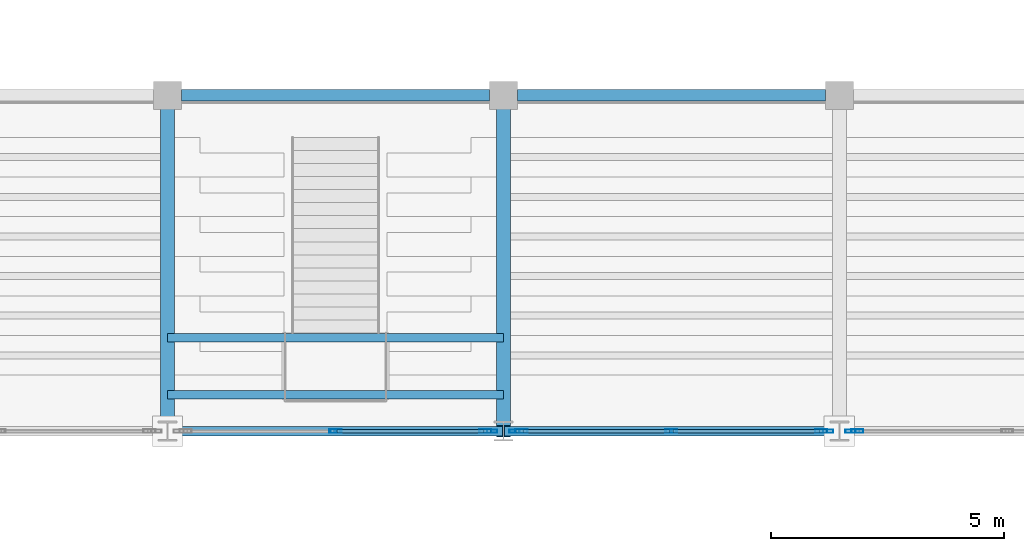
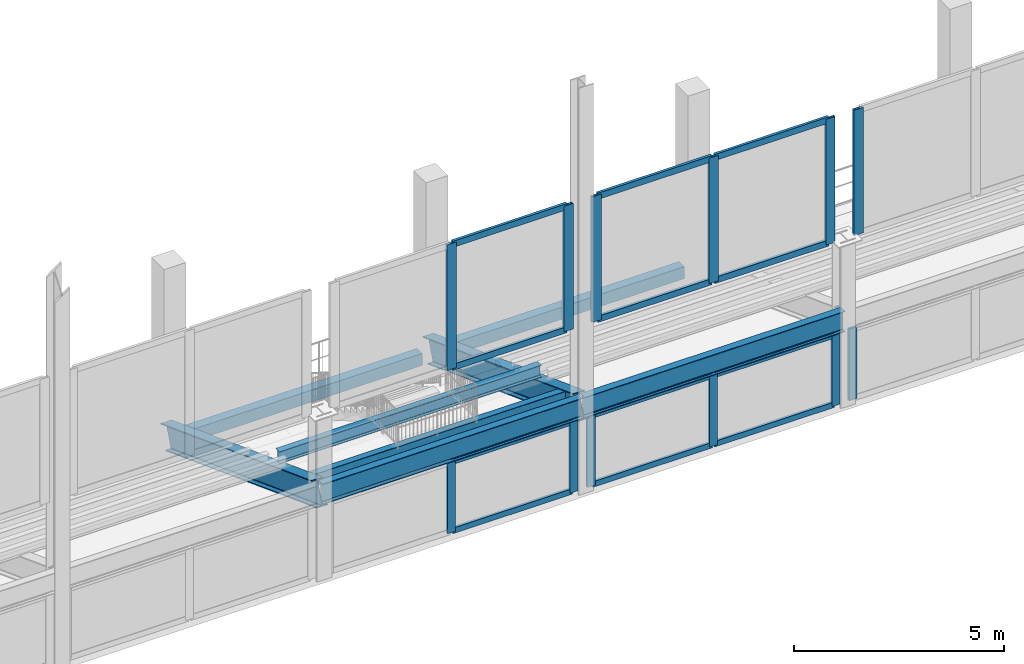
# One storey, part 23 of 120: 24 members, 8 beams, 6 elements without a shape of their own.
"""IFC4 building model written with IfcOpenShell, lengths in metres."""

from ifc_helpers import new_model, si_unit, direction, frame, origin, origin_2d, place, context, subcontext, project, spatial, hollow_rectangle, i_section, extrude, material, material_profile, profile_set, type_object, element, aggregate, save


model = new_model("IFC4")

# Units and contexts
model_context = context("Model", 3, precision=1e-05, world=origin(), true_north=direction((0.0, 1.0)))
body_context = subcontext(model_context, "Body", "Model", "MODEL_VIEW")
ifc_project = project(units=[si_unit("LENGTHUNIT", "METRE"), si_unit("AREAUNIT", "SQUARE_METRE"), si_unit("VOLUMEUNIT", "CUBIC_METRE"), si_unit("PLANEANGLEUNIT", "RADIAN"), si_unit("MASSUNIT", "GRAM", prefix="KILO")], contexts=[model_context])

# Site, building, storey
site_placement = place(None, origin())
site = spatial("IfcSite", under=ifc_project, at=site_placement, CompositionType="ELEMENT")
building_placement = place(site_placement, origin())
building = spatial("IfcBuilding", under=site, at=building_placement, Name="Vesperath Aquatics Centre", CompositionType="ELEMENT")
storey_placement = place(building_placement, frame((0.0, 0.0, 10.199951171875)))
storey = spatial("IfcBuildingStorey", under=building, at=storey_placement, Name="L02", CompositionType="ELEMENT", Elevation=10.199951171875)

# Beams
ifc_material_1 = material(Name="Steel Q355C", Category="steel")
ifc_material_profile_1 = material_profile(ifc_material_1, i_section(OverallWidth=0.175048828125, OverallDepth=0.35009765625, WebThickness=0.007080078125, FlangeThickness=0.010986328125, FilletRadius=0.012939453125, at=origin_2d()), Name="HN 350x175x7x11")
ifc_profile_set_1 = profile_set([ifc_material_profile_1], Name="Steel Q355C")
beam_type_1 = type_object("IfcBeamType", Name="BM-J05", PredefinedType="JOIST", material=ifc_profile_set_1)
for number, where, z_axis, x_axis, name in (
    (1, (43.199951171875, 15.179931640625, 2.25), (1.0, 0.0, 0.0), (0.0, 1.0, 0.0), "Upper Vomitory Landing Beam J05 VOM07-A"),
    (2, (43.199951171875, 16.403076171875, 2.25), (1.0, 0.0, 0.0), (0.0, 1.0, 0.0), "Upper Vomitory Landing Beam J05 VOM07-B"),
):
    element("IfcBeam", number, at=place(storey_placement, frame(where, z_axis=z_axis, x_axis=x_axis)), inside=storey, type_object=beam_type_1, Name=name, PredefinedType="JOIST", context=body_context, shape_type="SweptSolid", body=[
        extrude(i_section(OverallWidth=0.175048828125, OverallDepth=0.35009765625, WebThickness=0.007080078125, FlangeThickness=0.010986328125, FilletRadius=0.012939453125, at=origin_2d()), origin(), (0.0, 0.0, 1.0), 7.199951171875),
    ])
ifc_material_2 = material(Name="Steel Q355D", Category="steel")
ifc_material_profile_2 = material_profile(ifc_material_2, i_section(OverallWidth=0.300048828125, OverallDepth=0.699951171875, WebThickness=0.012939453125, FlangeThickness=0.02392578125, FilletRadius=0.028076171875, at=origin_2d()), Name="HN 700x300x13x24")
ifc_profile_set_2 = profile_set([ifc_material_profile_2], Name="Steel Q355D")
beam_type_2 = type_object("IfcBeamType", Name="BM-RK02", PredefinedType="USERDEFINED", material=ifc_profile_set_2)
for number, where, z_axis, x_axis, name in (
    (3, (43.199951171875, 21.60009765625, -0.300048828125), (0.0, -0.93632395855, 0.351137358659), (1.0, 0.0, 0.0), "Upper Stand RAKER Beam RK02 South 7"),
    (4, (50.39990234375, 21.60009765625, -0.300048828125), (0.0, -0.93632395855, 0.351137358659), (1.0, 0.0, 0.0), "Upper Stand RAKER Beam RK02 South 8"),
):
    element("IfcBeam", number, at=place(storey_placement, frame(where, z_axis=z_axis, x_axis=x_axis)), inside=storey, type_object=beam_type_2, Name=name, ObjectType="RAKER", PredefinedType="USERDEFINED", context=body_context, shape_type="SweptSolid", body=[
        extrude(i_section(OverallWidth=0.300048828125, OverallDepth=0.699951171875, WebThickness=0.012939453125, FlangeThickness=0.02392578125, FilletRadius=0.028076171875, at=origin_2d()), origin(), (0.0, 0.0, 1.0), 7.68994140625),
    ])
ifc_material_profile_3 = material_profile(ifc_material_2, i_section(OverallWidth=0.199951171875, OverallDepth=0.60009765625, WebThickness=0.010986328125, FlangeThickness=0.01708984375, FilletRadius=0.02197265625, at=origin_2d()), Name="HN 600x200x11x17")
ifc_profile_set_3 = profile_set([ifc_material_profile_3], Name="Steel Q355D")
beam_type_3 = type_object("IfcBeamType", Name="BM-RKH1", PredefinedType="BEAM", material=ifc_profile_set_3)
beam_1_placement = place(storey_placement, frame((43.219970703125, 14.39990234375, 2.400146484375), z_axis=(1.0, 0.0, 0.0), x_axis=(0.0, 1.0, 0.0)))
element("IfcBeam", 5, at=beam_1_placement, inside=storey, type_object=beam_type_3, Name="Upper Bowl Rim Girder RKH1 South 7-8", PredefinedType="BEAM", context=body_context, shape_type="SweptSolid", body=[
    extrude(i_section(OverallWidth=0.199951171875, OverallDepth=0.60009765625, WebThickness=0.010986328125, FlangeThickness=0.01708984375, FilletRadius=0.02197265625, at=origin_2d()), origin(), (0.0, 0.0, 1.0), 7.159912109375),
])
beam_2_placement = place(storey_placement, frame((50.419921875, 14.39990234375, 2.400146484375), z_axis=(1.0, 0.0, 0.0), x_axis=(0.0, 1.0, 0.0)))
element("IfcBeam", 6, at=beam_2_placement, inside=storey, type_object=beam_type_3, Name="Upper Bowl Rim Girder RKH1 South 8-9", PredefinedType="BEAM", context=body_context, shape_type="SweptSolid", body=[
    extrude(i_section(OverallWidth=0.199951171875, OverallDepth=0.60009765625, WebThickness=0.010986328125, FlangeThickness=0.01708984375, FilletRadius=0.02197265625, at=origin_2d()), origin(), (0.0, 0.0, 1.0), 7.16015625),
])
ifc_material_profile_4 = material_profile(ifc_material_2, hollow_rectangle(XDim=0.25, YDim=0.35009765625, WallThickness=0.011962890625, at=origin_2d()), Name="RHS 350x250x12")
ifc_profile_set_4 = profile_set([ifc_material_profile_4], Name="Steel Q355D")
beam_type_4 = type_object("IfcBeamType", Name="BM-SP02", PredefinedType="SPANDREL", material=ifc_profile_set_4)
for number, where, z_axis, x_axis, name in (
    (7, (43.5, 21.60009765625, -0.43505859375), (1.0, 0.0, 0.0), (0.0, 1.0, 0.0), "Floor Girder SP02 L02 D 7-8"),
    (8, (50.699951171875, 21.60009765625, -0.43505859375), (1.0, 0.0, 0.0), (0.0, 1.0, 0.0), "Floor Girder SP02 L02 D 8-9"),
):
    element("IfcBeam", number, at=place(storey_placement, frame(where, z_axis=z_axis, x_axis=x_axis)), inside=storey, type_object=beam_type_4, Name=name, PredefinedType="SPANDREL", context=body_context, shape_type="SweptSolid", body=[
        extrude(hollow_rectangle(XDim=0.25, YDim=0.35009765625, WallThickness=0.011962890625, at=origin_2d()), origin(), (0.0, 0.0, 1.0), 6.60009765625),
    ])

# Curtain wall, members
ifc_material_3 = material(Name="Thermally broken anodised bronze aluminium curtain wall", Category="aluminium")
curtain_wall_type_1 = type_object("IfcCurtainWallType", Name="CW-08", PredefinedType="NOTDEFINED", material=ifc_material_3)
curtain_wall_1_placement = place(storey_placement, origin())
curtain_wall_1 = element("IfcCurtainWall", 9, at=curtain_wall_1_placement, inside=storey, type_object=curtain_wall_type_1, Name="Natatorium Gable West Curtain Wall CW08 S-4W", PredefinedType="NOTDEFINED")
ifc_material_4 = material(Name="Thermally broken anodised aluminium", Category="aluminium")
ifc_material_profile_5 = material_profile(ifc_material_4, hollow_rectangle(XDim=0.074951171875, YDim=0.260009765625, WallThickness=0.006103515625, at=origin_2d()), Name="CWM 75x260x6")
ifc_profile_set_5 = profile_set([ifc_material_profile_5], Name="Thermally broken anodised aluminium")
member_type_1 = type_object("IfcMemberType", Name="MB-CWM1", PredefinedType="MULLION", material=ifc_profile_set_5)
member_1_placement = place(storey_placement, frame((46.800048828125, 14.39990234375, 4.75), z_axis=(0.0, 0.0, 1.0), x_axis=(0.0, 1.0, 0.0)))
member_1 = element("IfcMember", 10, at=member_1_placement, type_object=member_type_1, Name="CW08 mullion 2", PredefinedType="MULLION", context=body_context, shape_type="SweptSolid", body=[
    extrude(hollow_rectangle(XDim=0.074951171875, YDim=0.260009765625, WallThickness=0.006103515625, at=origin_2d()), origin(), (0.0, 0.0, 1.0), 3.650146484375),
])
member_2_placement = place(storey_placement, frame((50.012451171875, 14.39990234375, 4.75), z_axis=(0.0, 0.0, 1.0), x_axis=(0.0, 1.0, 0.0)))
member_2 = element("IfcMember", 11, at=member_2_placement, type_object=member_type_1, Name="CW08 mullion 3", PredefinedType="MULLION", context=body_context, shape_type="SweptSolid", body=[
    extrude(hollow_rectangle(XDim=0.074951171875, YDim=0.260009765625, WallThickness=0.006103515625, at=origin_2d()), origin(), (0.0, 0.0, 1.0), 3.650146484375),
])

curtain_wall_2_placement = place(storey_placement, origin())
curtain_wall_2 = element("IfcCurtainWall", 12, at=curtain_wall_2_placement, inside=storey, type_object=curtain_wall_type_1, Name="Natatorium Gable East Curtain Wall CW08 S-4E", PredefinedType="NOTDEFINED")
member_3_placement = place(storey_placement, frame((50.78759765625, 14.39990234375, 4.75), z_axis=(0.0, 0.0, 1.0), x_axis=(0.0, 1.0, 0.0)))
member_3 = element("IfcMember", 13, at=member_3_placement, type_object=member_type_1, Name="CW08 mullion 1", PredefinedType="MULLION", context=body_context, shape_type="SweptSolid", body=[
    extrude(hollow_rectangle(XDim=0.074951171875, YDim=0.260009765625, WallThickness=0.006103515625, at=origin_2d()), origin(), (0.0, 0.0, 1.0), 3.650146484375),
])
member_4_placement = place(storey_placement, frame((54.0, 14.39990234375, 4.75), z_axis=(0.0, 0.0, 1.0), x_axis=(0.0, 1.0, 0.0)))
member_4 = element("IfcMember", 14, at=member_4_placement, type_object=member_type_1, Name="CW08 mullion 2", PredefinedType="MULLION", context=body_context, shape_type="SweptSolid", body=[
    extrude(hollow_rectangle(XDim=0.074951171875, YDim=0.260009765625, WallThickness=0.006103515625, at=origin_2d()), origin(), (0.0, 0.0, 1.0), 3.650146484375),
])
member_5_placement = place(storey_placement, frame((57.21240234375, 14.39990234375, 4.75), z_axis=(0.0, 0.0, 1.0), x_axis=(0.0, 1.0, 0.0)))
member_5 = element("IfcMember", 15, at=member_5_placement, type_object=member_type_1, Name="CW08 mullion 3", PredefinedType="MULLION", context=body_context, shape_type="SweptSolid", body=[
    extrude(hollow_rectangle(XDim=0.074951171875, YDim=0.260009765625, WallThickness=0.006103515625, at=origin_2d()), origin(), (0.0, 0.0, 1.0), 3.650146484375),
])

# Curtain wall, member
curtain_wall_3_placement = place(storey_placement, origin())
curtain_wall_3 = element("IfcCurtainWall", 16, at=curtain_wall_3_placement, inside=storey, type_object=curtain_wall_type_1, Name="Natatorium Gable West Curtain Wall CW08 S-5W", PredefinedType="NOTDEFINED")
member_6_placement = place(storey_placement, frame((57.987548828125, 14.39990234375, 4.75), z_axis=(0.0, 0.0, 1.0), x_axis=(0.0, 1.0, 0.0)))
member_6 = element("IfcMember", 17, at=member_6_placement, type_object=member_type_1, Name="CW08 mullion 1", PredefinedType="MULLION", context=body_context, shape_type="SweptSolid", body=[
    extrude(hollow_rectangle(XDim=0.074951171875, YDim=0.260009765625, WallThickness=0.006103515625, at=origin_2d()), origin(), (0.0, 0.0, 1.0), 3.650146484375),
])
aggregate(curtain_wall_3, [member_6])

# Curtain wall, members
curtain_wall_type_2 = type_object("IfcCurtainWallType", Name="CW-06", PredefinedType="NOTDEFINED", material=ifc_material_3)
curtain_wall_4_placement = place(storey_placement, origin())
curtain_wall_4 = element("IfcCurtainWall", 18, at=curtain_wall_4_placement, inside=storey, type_object=curtain_wall_type_2, Name="Facade Curtain Wall CW06 L02_S_06_02", PredefinedType="NOTDEFINED")
ifc_material_profile_6 = material_profile(ifc_material_4, hollow_rectangle(XDim=0.070068359375, YDim=0.219970703125, WallThickness=0.0048828125, at=origin_2d()), Name="CWM 70x220x5")
ifc_profile_set_6 = profile_set([ifc_material_profile_6], Name="Thermally broken anodised aluminium")
member_type_2 = type_object("IfcMemberType", Name="MB-CWM2", PredefinedType="MULLION", material=ifc_profile_set_6)
member_7_placement = place(storey_placement, frame((46.800048828125, 14.39990234375, 0.0), z_axis=(0.0, 0.0, 1.0), x_axis=(0.0, 1.0, 0.0)))
member_7 = element("IfcMember", 19, at=member_7_placement, type_object=member_type_2, Name="CW06 mullion 2", PredefinedType="MULLION", context=body_context, shape_type="SweptSolid", body=[
    extrude(hollow_rectangle(XDim=0.070068359375, YDim=0.219970703125, WallThickness=0.0048828125, at=origin_2d()), origin(), (0.0, 0.0, 1.0), 2.080078125),
])
member_8_placement = place(storey_placement, frame((50.16162109375, 14.39990234375, 0.0), z_axis=(0.0, 0.0, 1.0), x_axis=(0.0, 1.0, 0.0)))
member_8 = element("IfcMember", 20, at=member_8_placement, type_object=member_type_2, Name="CW06 mullion 3", PredefinedType="MULLION", context=body_context, shape_type="SweptSolid", body=[
    extrude(hollow_rectangle(XDim=0.070068359375, YDim=0.219970703125, WallThickness=0.0048828125, at=origin_2d()), origin(), (0.0, 0.0, 1.0), 2.080078125),
])

curtain_wall_5_placement = place(storey_placement, origin())
curtain_wall_5 = element("IfcCurtainWall", 21, at=curtain_wall_5_placement, inside=storey, type_object=curtain_wall_type_2, Name="Facade Curtain Wall CW06 L02_S_07_02", PredefinedType="NOTDEFINED")
member_9_placement = place(storey_placement, frame((50.638427734375, 14.39990234375, 0.0), z_axis=(0.0, 0.0, 1.0), x_axis=(0.0, 1.0, 0.0)))
member_9 = element("IfcMember", 22, at=member_9_placement, type_object=member_type_2, Name="CW06 mullion 1", PredefinedType="MULLION", context=body_context, shape_type="SweptSolid", body=[
    extrude(hollow_rectangle(XDim=0.070068359375, YDim=0.219970703125, WallThickness=0.0048828125, at=origin_2d()), origin(), (0.0, 0.0, 1.0), 2.080078125),
])
member_10_placement = place(storey_placement, frame((54.0, 14.39990234375, 0.0), z_axis=(0.0, 0.0, 1.0), x_axis=(0.0, 1.0, 0.0)))
member_10 = element("IfcMember", 23, at=member_10_placement, type_object=member_type_2, Name="CW06 mullion 2", PredefinedType="MULLION", context=body_context, shape_type="SweptSolid", body=[
    extrude(hollow_rectangle(XDim=0.070068359375, YDim=0.219970703125, WallThickness=0.0048828125, at=origin_2d()), origin(), (0.0, 0.0, 1.0), 2.080078125),
])
member_11_placement = place(storey_placement, frame((57.361572265625, 14.39990234375, 0.0), z_axis=(0.0, 0.0, 1.0), x_axis=(0.0, 1.0, 0.0)))
member_11 = element("IfcMember", 24, at=member_11_placement, type_object=member_type_2, Name="CW06 mullion 3", PredefinedType="MULLION", context=body_context, shape_type="SweptSolid", body=[
    extrude(hollow_rectangle(XDim=0.070068359375, YDim=0.219970703125, WallThickness=0.0048828125, at=origin_2d()), origin(), (0.0, 0.0, 1.0), 2.080078125),
])

# Curtain wall, member
curtain_wall_6_placement = place(storey_placement, origin())
curtain_wall_6 = element("IfcCurtainWall", 25, at=curtain_wall_6_placement, inside=storey, type_object=curtain_wall_type_2, Name="Facade Curtain Wall CW06 L02_S_08_02", PredefinedType="NOTDEFINED")
member_12_placement = place(storey_placement, frame((57.83837890625, 14.39990234375, 0.0), z_axis=(0.0, 0.0, 1.0), x_axis=(0.0, 1.0, 0.0)))
member_12 = element("IfcMember", 26, at=member_12_placement, type_object=member_type_2, Name="CW06 mullion 1", PredefinedType="MULLION", context=body_context, shape_type="SweptSolid", body=[
    extrude(hollow_rectangle(XDim=0.070068359375, YDim=0.219970703125, WallThickness=0.0048828125, at=origin_2d()), origin(), (0.0, 0.0, 1.0), 2.080078125),
])
aggregate(curtain_wall_6, [member_12])

# Member
ifc_material_profile_7 = material_profile(ifc_material_4, hollow_rectangle(XDim=0.074951171875, YDim=0.179931640625, WallThickness=0.0048828125, at=origin_2d()), Name="CWT 75x180x5")
ifc_profile_set_7 = profile_set([ifc_material_profile_7], Name="Thermally broken anodised aluminium")
member_type_3 = type_object("IfcMemberType", Name="MB-CWT1", PredefinedType="USERDEFINED", material=ifc_profile_set_7)
member_13_placement = place(storey_placement, frame((46.83740234375, 14.39990234375, 4.78759765625), z_axis=(1.0, 0.0, 0.0), x_axis=(0.0, 1.0, 0.0)))
member_13 = element("IfcMember", 27, at=member_13_placement, type_object=member_type_3, Name="CW08 transom 2.1", ObjectType="TRANSOM", PredefinedType="USERDEFINED", context=body_context, shape_type="SweptSolid", body=[
    extrude(hollow_rectangle(XDim=0.074951171875, YDim=0.179931640625, WallThickness=0.0048828125, at=origin_2d()), origin(), (0.0, 0.0, 1.0), 3.1376953125),
])

member_14_placement = place(storey_placement, frame((46.83740234375, 14.39990234375, 8.362548828125), z_axis=(1.0, 0.0, 0.0), x_axis=(0.0, 1.0, 0.0)))
member_14 = element("IfcMember", 28, at=member_14_placement, type_object=member_type_3, Name="CW08 transom 2.2", ObjectType="TRANSOM", PredefinedType="USERDEFINED", context=body_context, shape_type="SweptSolid", body=[
    extrude(hollow_rectangle(XDim=0.074951171875, YDim=0.179931640625, WallThickness=0.0048828125, at=origin_2d()), origin(), (0.0, 0.0, 1.0), 3.1376953125),
])

aggregate(curtain_wall_1, [member_1, member_2, member_13, member_14])

member_15_placement = place(storey_placement, frame((50.824951171875, 14.39990234375, 4.78759765625), z_axis=(1.0, 0.0, 0.0), x_axis=(0.0, 1.0, 0.0)))
member_15 = element("IfcMember", 29, at=member_15_placement, type_object=member_type_3, Name="CW08 transom 1.1", ObjectType="TRANSOM", PredefinedType="USERDEFINED", context=body_context, shape_type="SweptSolid", body=[
    extrude(hollow_rectangle(XDim=0.074951171875, YDim=0.179931640625, WallThickness=0.0048828125, at=origin_2d()), origin(), (0.0, 0.0, 1.0), 3.137451171875),
])

member_16_placement = place(storey_placement, frame((50.824951171875, 14.39990234375, 8.362548828125), z_axis=(1.0, 0.0, 0.0), x_axis=(0.0, 1.0, 0.0)))
member_16 = element("IfcMember", 30, at=member_16_placement, type_object=member_type_3, Name="CW08 transom 1.2", ObjectType="TRANSOM", PredefinedType="USERDEFINED", context=body_context, shape_type="SweptSolid", body=[
    extrude(hollow_rectangle(XDim=0.074951171875, YDim=0.179931640625, WallThickness=0.0048828125, at=origin_2d()), origin(), (0.0, 0.0, 1.0), 3.137451171875),
])

member_17_placement = place(storey_placement, frame((54.03759765625, 14.39990234375, 4.78759765625), z_axis=(1.0, 0.0, 0.0), x_axis=(0.0, 1.0, 0.0)))
member_17 = element("IfcMember", 31, at=member_17_placement, type_object=member_type_3, Name="CW08 transom 2.1", ObjectType="TRANSOM", PredefinedType="USERDEFINED", context=body_context, shape_type="SweptSolid", body=[
    extrude(hollow_rectangle(XDim=0.074951171875, YDim=0.179931640625, WallThickness=0.0048828125, at=origin_2d()), origin(), (0.0, 0.0, 1.0), 3.137451171875),
])

member_18_placement = place(storey_placement, frame((54.03759765625, 14.39990234375, 8.362548828125), z_axis=(1.0, 0.0, 0.0), x_axis=(0.0, 1.0, 0.0)))
member_18 = element("IfcMember", 32, at=member_18_placement, type_object=member_type_3, Name="CW08 transom 2.2", ObjectType="TRANSOM", PredefinedType="USERDEFINED", context=body_context, shape_type="SweptSolid", body=[
    extrude(hollow_rectangle(XDim=0.074951171875, YDim=0.179931640625, WallThickness=0.0048828125, at=origin_2d()), origin(), (0.0, 0.0, 1.0), 3.137451171875),
])

aggregate(curtain_wall_2, [member_3, member_4, member_5, member_15, member_16, member_17, member_18])

ifc_material_profile_8 = material_profile(ifc_material_4, hollow_rectangle(XDim=0.070068359375, YDim=0.159912109375, WallThickness=0.0048828125, at=origin_2d()), Name="CWT 70x160x5")
ifc_profile_set_8 = profile_set([ifc_material_profile_8], Name="Thermally broken anodised aluminium")
member_type_4 = type_object("IfcMemberType", Name="MB-CWT2", PredefinedType="USERDEFINED", material=ifc_profile_set_8)
member_19_placement = place(storey_placement, frame((46.8349609375, 14.39990234375, 0.03515625), z_axis=(1.0, 0.0, 0.0), x_axis=(0.0, 1.0, 0.0)))
member_19 = element("IfcMember", 33, at=member_19_placement, type_object=member_type_4, Name="CW06 transom 2.1", ObjectType="TRANSOM", PredefinedType="USERDEFINED", context=body_context, shape_type="SweptSolid", body=[
    extrude(hollow_rectangle(XDim=0.070068359375, YDim=0.159912109375, WallThickness=0.0048828125, at=origin_2d()), origin(), (0.0, 0.0, 1.0), 3.29150390625),
])

member_20_placement = place(storey_placement, frame((46.8349609375, 14.39990234375, 2.045166015625), z_axis=(1.0, 0.0, 0.0), x_axis=(0.0, 1.0, 0.0)))
member_20 = element("IfcMember", 34, at=member_20_placement, type_object=member_type_4, Name="CW06 transom 2.2", ObjectType="TRANSOM", PredefinedType="USERDEFINED", context=body_context, shape_type="SweptSolid", body=[
    extrude(hollow_rectangle(XDim=0.070068359375, YDim=0.159912109375, WallThickness=0.0048828125, at=origin_2d()), origin(), (0.0, 0.0, 1.0), 3.29150390625),
])

aggregate(curtain_wall_4, [member_7, member_8, member_19, member_20])

member_21_placement = place(storey_placement, frame((50.673583984375, 14.39990234375, 0.03515625), z_axis=(1.0, 0.0, 0.0), x_axis=(0.0, 1.0, 0.0)))
member_21 = element("IfcMember", 35, at=member_21_placement, type_object=member_type_4, Name="CW06 transom 1.1", ObjectType="TRANSOM", PredefinedType="USERDEFINED", context=body_context, shape_type="SweptSolid", body=[
    extrude(hollow_rectangle(XDim=0.070068359375, YDim=0.159912109375, WallThickness=0.0048828125, at=origin_2d()), origin(), (0.0, 0.0, 1.0), 3.29150390625),
])

member_22_placement = place(storey_placement, frame((50.673583984375, 14.39990234375, 2.045166015625), z_axis=(1.0, 0.0, 0.0), x_axis=(0.0, 1.0, 0.0)))
member_22 = element("IfcMember", 36, at=member_22_placement, type_object=member_type_4, Name="CW06 transom 1.2", ObjectType="TRANSOM", PredefinedType="USERDEFINED", context=body_context, shape_type="SweptSolid", body=[
    extrude(hollow_rectangle(XDim=0.070068359375, YDim=0.159912109375, WallThickness=0.0048828125, at=origin_2d()), origin(), (0.0, 0.0, 1.0), 3.29150390625),
])

member_23_placement = place(storey_placement, frame((54.034912109375, 14.39990234375, 0.03515625), z_axis=(1.0, 0.0, 0.0), x_axis=(0.0, 1.0, 0.0)))
member_23 = element("IfcMember", 37, at=member_23_placement, type_object=member_type_4, Name="CW06 transom 2.1", ObjectType="TRANSOM", PredefinedType="USERDEFINED", context=body_context, shape_type="SweptSolid", body=[
    extrude(hollow_rectangle(XDim=0.070068359375, YDim=0.159912109375, WallThickness=0.0048828125, at=origin_2d()), origin(), (0.0, 0.0, 1.0), 3.29150390625),
])

member_24_placement = place(storey_placement, frame((54.034912109375, 14.39990234375, 2.045166015625), z_axis=(1.0, 0.0, 0.0), x_axis=(0.0, 1.0, 0.0)))
member_24 = element("IfcMember", 38, at=member_24_placement, type_object=member_type_4, Name="CW06 transom 2.2", ObjectType="TRANSOM", PredefinedType="USERDEFINED", context=body_context, shape_type="SweptSolid", body=[
    extrude(hollow_rectangle(XDim=0.070068359375, YDim=0.159912109375, WallThickness=0.0048828125, at=origin_2d()), origin(), (0.0, 0.0, 1.0), 3.29150390625),
])

aggregate(curtain_wall_5, [member_9, member_10, member_11, member_21, member_22, member_23, member_24])

save(model, "model.ifc")
